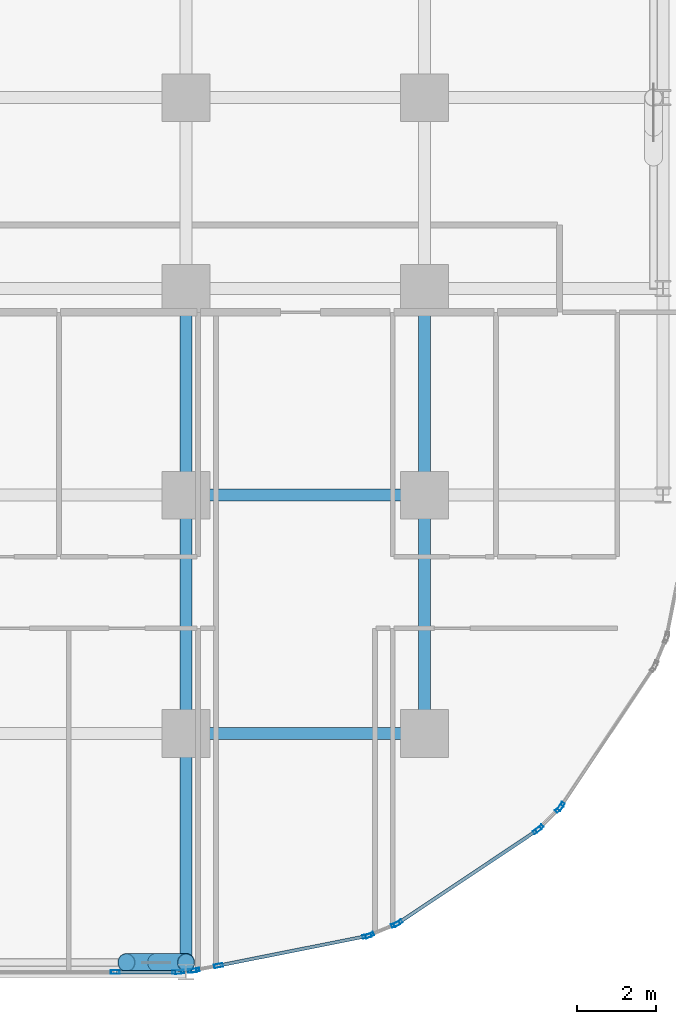
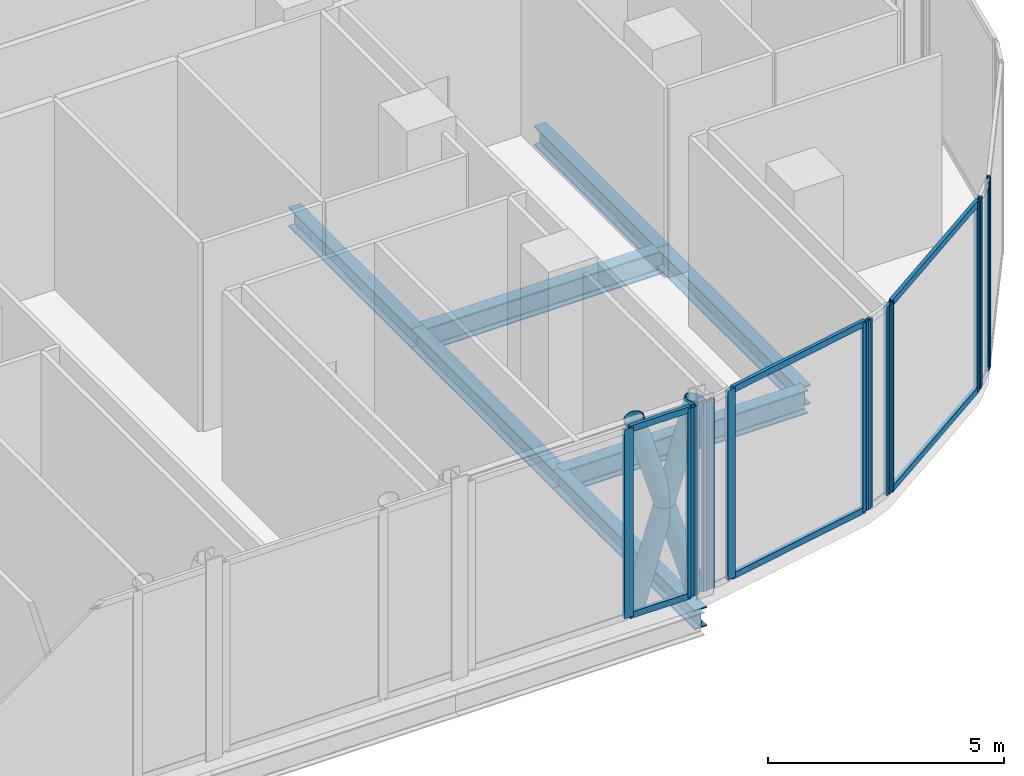
# One storey, part 10 of 36: 23 members, 7 beams, 8 elements without a shape of their own.
"""IFC4 building model written with IfcOpenShell, lengths in metres."""

from ifc_helpers import new_model, si_unit, direction, frame, origin, origin_2d, place, context, subcontext, project, spatial, hollow_rectangle, hollow_circle, i_section, extrude, material, layer, layer_set, material_profile, profile_set, type_object, element, aggregate, save


model = new_model("IFC4")

# Units and contexts
model_context = context("Model", 3, precision=1e-05, world=origin(), true_north=direction((0.0, 1.0)))
body_context = subcontext(model_context, "Body", "Model", "MODEL_VIEW")
ifc_project = project(units=[si_unit("LENGTHUNIT", "METRE"), si_unit("AREAUNIT", "SQUARE_METRE"), si_unit("VOLUMEUNIT", "CUBIC_METRE"), si_unit("PLANEANGLEUNIT", "RADIAN"), si_unit("MASSUNIT", "GRAM", prefix="KILO")], contexts=[model_context])

# Site, building, storey
site_placement = place(None, origin())
site = spatial("IfcSite", under=ifc_project, at=site_placement, CompositionType="ELEMENT")
building_placement = place(site_placement, origin())
building = spatial("IfcBuilding", under=site, at=building_placement, Name="Keshet Zoharim Tower", CompositionType="ELEMENT")
storey_placement = place(building_placement, frame((0.0, 0.0, 81.199951171875)))
storey = spatial("IfcBuildingStorey", under=building, at=storey_placement, Name="L19", CompositionType="ELEMENT", Elevation=81.199951171875)

# Beams
ifc_material_1 = material(Name="Steel S355", Category="steel")
ifc_material_profile_1 = material_profile(ifc_material_1, i_section(OverallWidth=0.300048828125, OverallDepth=0.5, WebThickness=0.014404296875, FlangeThickness=0.028076171875, FilletRadius=0.027099609375, at=origin_2d()), Name="HEB500")
ifc_profile_set_1 = profile_set([ifc_material_profile_1], Name="Steel S355")
beam_type_1 = type_object("IfcBeamType", Name="BM-WEB-HB500", PredefinedType="BEAM", material=ifc_profile_set_1)
for number, where, z_axis, x_axis, name in (
    (1, (57.0, 0.699951171875, -0.669921875), (0.0, 1.0, 0.0), (-1.0, 0.0, 0.0), "L19 Primary Girder Y-013"),
    (2, (57.0, 6.699951171875, -0.669921875), (0.0, 1.0, 0.0), (-1.0, 0.0, 0.0), "L19 Primary Girder Y-014"),
):
    element("IfcBeam", number, at=place(storey_placement, frame(where, z_axis=z_axis, x_axis=x_axis)), inside=storey, type_object=beam_type_1, Name=name, PredefinedType="BEAM", context=body_context, shape_type="SweptSolid", body=[
        extrude(i_section(OverallWidth=0.300048828125, OverallDepth=0.5, WebThickness=0.014404296875, FlangeThickness=0.028076171875, FilletRadius=0.027099609375, at=origin_2d()), origin(), (0.0, 0.0, 1.0), 6.0),
    ])
beam_1_placement = place(storey_placement, frame((57.0, 12.699951171875, -0.669921875), z_axis=(0.0, 1.0, 0.0), x_axis=(-1.0, 0.0, 0.0)))
element("IfcBeam", 3, at=beam_1_placement, inside=storey, type_object=beam_type_1, Name="L19 Primary Girder Y-015", PredefinedType="BEAM", context=body_context, shape_type="SweptSolid", body=[
    extrude(i_section(OverallWidth=0.300048828125, OverallDepth=0.5, WebThickness=0.014404296875, FlangeThickness=0.028076171875, FilletRadius=0.027099609375, at=origin_2d()), origin(), (0.0, 0.0, 1.0), 5.199951171875),
])
beam_2_placement = place(storey_placement, frame((63.0, 6.699951171875, -0.669921875), z_axis=(0.0, 1.0, 0.0), x_axis=(-1.0, 0.0, 0.0)))
element("IfcBeam", 4, at=beam_2_placement, inside=storey, type_object=beam_type_1, Name="L19 Primary Girder Y-018", PredefinedType="BEAM", context=body_context, shape_type="SweptSolid", body=[
    extrude(i_section(OverallWidth=0.300048828125, OverallDepth=0.5, WebThickness=0.014404296875, FlangeThickness=0.028076171875, FilletRadius=0.027099609375, at=origin_2d()), origin(), (0.0, 0.0, 1.0), 6.0),
])
beam_3_placement = place(storey_placement, frame((63.0, 12.699951171875, -0.669921875), z_axis=(0.0, 1.0, 0.0), x_axis=(-1.0, 0.0, 0.0)))
element("IfcBeam", 5, at=beam_3_placement, inside=storey, type_object=beam_type_1, Name="L19 Primary Girder Y-019", PredefinedType="BEAM", context=body_context, shape_type="SweptSolid", body=[
    extrude(i_section(OverallWidth=0.300048828125, OverallDepth=0.5, WebThickness=0.014404296875, FlangeThickness=0.028076171875, FilletRadius=0.027099609375, at=origin_2d()), origin(), (0.0, 0.0, 1.0), 5.199951171875),
])
ifc_material_profile_2 = material_profile(ifc_material_1, i_section(OverallWidth=0.300048828125, OverallDepth=0.60009765625, WebThickness=0.015380859375, FlangeThickness=0.030029296875, FilletRadius=0.027099609375, at=origin_2d()), Name="HEB600")
ifc_profile_set_2 = profile_set([ifc_material_profile_2], Name="Steel S355")
beam_type_2 = type_object("IfcBeamType", Name="BM-WEB-HB600", PredefinedType="BEAM", material=ifc_profile_set_2)
for number, where, z_axis, x_axis, name in (
    (6, (57.0, 6.699951171875, -0.719970703125), (1.0, 0.0, 0.0), (0.0, 1.0, 0.0), "L19 Primary Girder X-010"),
    (7, (57.0, 12.699951171875, -0.719970703125), (1.0, 0.0, 0.0), (0.0, 1.0, 0.0), "L19 Primary Girder X-013"),
):
    element("IfcBeam", number, at=place(storey_placement, frame(where, z_axis=z_axis, x_axis=x_axis)), inside=storey, type_object=beam_type_2, Name=name, PredefinedType="BEAM", context=body_context, shape_type="SweptSolid", body=[
        extrude(i_section(OverallWidth=0.300048828125, OverallDepth=0.60009765625, WebThickness=0.015380859375, FlangeThickness=0.030029296875, FilletRadius=0.027099609375, at=origin_2d()), origin(), (0.0, 0.0, 1.0), 6.0),
    ])

# Curtain wall, member
ifc_material_2 = material(Name="Aluminium 6063-T6", Category="aluminium")
ifc_layer = layer(ifc_material_2, 0.179931640625)
ifc_layer_set = layer_set([ifc_layer], Name="Aluminium 6063-T6")
curtain_wall_type = type_object("IfcCurtainWallType", Name="CW-SYS-01", PredefinedType="NOTDEFINED", material=ifc_layer_set)
curtain_wall_1_placement = place(storey_placement, origin())
curtain_wall_1 = element("IfcCurtainWall", 8, at=curtain_wall_1_placement, inside=storey, type_object=curtain_wall_type, Name="L19 Unitised Curtain Wall 20", PredefinedType="NOTDEFINED")
ifc_material_profile_3 = material_profile(ifc_material_2, hollow_rectangle(XDim=0.090087890625, YDim=0.219970703125, WallThickness=0.0048828125, at=origin_2d()), Name="MUL-90x220")
ifc_profile_set_3 = profile_set([ifc_material_profile_3], Name="Aluminium 6063-T6")
member_type_1 = type_object("IfcMemberType", Name="CWM-M22", PredefinedType="MULLION", material=ifc_profile_set_3)
member_1_placement = place(storey_placement, frame((66.432373046875, 4.8671875, 0.0), z_axis=(0.0, 0.0, 1.0), x_axis=(0.831474282335, -0.555563243758, 0.0)))
member_1 = element("IfcMember", 9, at=member_1_placement, type_object=member_type_1, Name="CW-01 mullion 2", PredefinedType="MULLION", context=body_context, shape_type="SweptSolid", body=[
    extrude(hollow_rectangle(XDim=0.090087890625, YDim=0.219970703125, WallThickness=0.0048828125, at=origin_2d()), origin(), (0.0, 0.0, 1.0), 4.885009765625),
])
aggregate(curtain_wall_1, [member_1])

# Curtain wall, members
curtain_wall_2_placement = place(storey_placement, origin())
curtain_wall_2 = element("IfcCurtainWall", 10, at=curtain_wall_2_placement, inside=storey, type_object=curtain_wall_type, Name="L19 Unitised Curtain Wall 21", PredefinedType="NOTDEFINED")
member_2_placement = place(storey_placement, frame((66.38818359375, 4.813232421875, 0.0), z_axis=(0.0, 0.0, 1.0), x_axis=(0.707106781187, -0.707106781187, 0.0)))
member_2 = element("IfcMember", 11, at=member_2_placement, type_object=member_type_1, Name="CW-01 mullion 1", PredefinedType="MULLION", context=body_context, shape_type="SweptSolid", body=[
    extrude(hollow_rectangle(XDim=0.090087890625, YDim=0.219970703125, WallThickness=0.0048828125, at=origin_2d()), origin(), (0.0, 0.0, 1.0), 4.885009765625),
])
member_3_placement = place(storey_placement, frame((65.88671875, 4.311767578125, 0.0), z_axis=(0.0, 0.0, 1.0), x_axis=(0.707106781187, -0.707106781187, 0.0)))
member_3 = element("IfcMember", 12, at=member_3_placement, type_object=member_type_1, Name="CW-01 mullion 2", PredefinedType="MULLION", context=body_context, shape_type="SweptSolid", body=[
    extrude(hollow_rectangle(XDim=0.090087890625, YDim=0.219970703125, WallThickness=0.0048828125, at=origin_2d()), origin(), (0.0, 0.0, 1.0), 4.885009765625),
])
aggregate(curtain_wall_2, [member_2, member_3])

curtain_wall_3_placement = place(storey_placement, origin())
curtain_wall_3 = element("IfcCurtainWall", 13, at=curtain_wall_3_placement, inside=storey, type_object=curtain_wall_type, Name="L19 Unitised Curtain Wall 22", PredefinedType="NOTDEFINED")
member_4_placement = place(storey_placement, frame((65.8330078125, 4.267578125, 0.0), z_axis=(0.0, 0.0, 1.0), x_axis=(0.555563243758, -0.831474282335, 0.0)))
member_4 = element("IfcMember", 14, at=member_4_placement, type_object=member_type_1, Name="CW-01 mullion 1", PredefinedType="MULLION", context=body_context, shape_type="SweptSolid", body=[
    extrude(hollow_rectangle(XDim=0.090087890625, YDim=0.219970703125, WallThickness=0.0048828125, at=origin_2d()), origin(), (0.0, 0.0, 1.0), 4.885009765625),
])
member_5_placement = place(storey_placement, frame((62.335205078125, 1.930419921875, 0.0), z_axis=(0.0, 0.0, 1.0), x_axis=(0.555563243758, -0.831474282335, 0.0)))
member_5 = element("IfcMember", 15, at=member_5_placement, type_object=member_type_1, Name="CW-01 mullion 2", PredefinedType="MULLION", context=body_context, shape_type="SweptSolid", body=[
    extrude(hollow_rectangle(XDim=0.090087890625, YDim=0.219970703125, WallThickness=0.0048828125, at=origin_2d()), origin(), (0.0, 0.0, 1.0), 4.885009765625),
])

curtain_wall_4_placement = place(storey_placement, origin())
curtain_wall_4 = element("IfcCurtainWall", 16, at=curtain_wall_4_placement, inside=storey, type_object=curtain_wall_type, Name="L19 Unitised Curtain Wall 23", PredefinedType="NOTDEFINED")
member_6_placement = place(storey_placement, frame((62.273681640625, 1.897705078125, 0.0), z_axis=(0.0, 0.0, 1.0), x_axis=(0.383068349739, -0.923720000557, 0.0)))
member_6 = element("IfcMember", 17, at=member_6_placement, type_object=member_type_1, Name="CW-01 mullion 1", PredefinedType="MULLION", context=body_context, shape_type="SweptSolid", body=[
    extrude(hollow_rectangle(XDim=0.090087890625, YDim=0.219970703125, WallThickness=0.0048828125, at=origin_2d()), origin(), (0.0, 0.0, 1.0), 4.885009765625),
])
member_7_placement = place(storey_placement, frame((61.617431640625, 1.62548828125, 0.0), z_axis=(0.0, 0.0, 1.0), x_axis=(0.383068349739, -0.923720000557, 0.0)))
member_7 = element("IfcMember", 18, at=member_7_placement, type_object=member_type_1, Name="CW-01 mullion 2", PredefinedType="MULLION", context=body_context, shape_type="SweptSolid", body=[
    extrude(hollow_rectangle(XDim=0.090087890625, YDim=0.219970703125, WallThickness=0.0048828125, at=origin_2d()), origin(), (0.0, 0.0, 1.0), 4.885009765625),
])
aggregate(curtain_wall_4, [member_6, member_7])

curtain_wall_5_placement = place(storey_placement, origin())
curtain_wall_5 = element("IfcCurtainWall", 19, at=curtain_wall_5_placement, inside=storey, type_object=curtain_wall_type, Name="L19 Unitised Curtain Wall 24", PredefinedType="NOTDEFINED")
member_8_placement = place(storey_placement, frame((61.55078125, 1.605224609375, 0.0), z_axis=(0.0, 0.0, 1.0), x_axis=(0.195173865617, -0.980768658849, 0.0)))
member_8 = element("IfcMember", 20, at=member_8_placement, type_object=member_type_1, Name="CW-01 mullion 1", PredefinedType="MULLION", context=body_context, shape_type="SweptSolid", body=[
    extrude(hollow_rectangle(XDim=0.090087890625, YDim=0.219970703125, WallThickness=0.0048828125, at=origin_2d()), origin(), (0.0, 0.0, 1.0), 4.885009765625),
])
member_9_placement = place(storey_placement, frame((57.81591796875, 0.86181640625, 0.0), z_axis=(0.0, 0.0, 1.0), x_axis=(0.195173865617, -0.980768658849, 0.0)))
member_9 = element("IfcMember", 21, at=member_9_placement, type_object=member_type_1, Name="CW-01 mullion 2", PredefinedType="MULLION", context=body_context, shape_type="SweptSolid", body=[
    extrude(hollow_rectangle(XDim=0.090087890625, YDim=0.219970703125, WallThickness=0.0048828125, at=origin_2d()), origin(), (0.0, 0.0, 1.0), 4.885009765625),
])

# Curtain wall, member
curtain_wall_6_placement = place(storey_placement, origin())
curtain_wall_6 = element("IfcCurtainWall", 22, at=curtain_wall_6_placement, inside=storey, type_object=curtain_wall_type, Name="L19 Unitised Curtain Wall 24 Part 2", PredefinedType="NOTDEFINED")
member_10_placement = place(storey_placement, frame((57.227294921875, 0.744873046875, 0.0), z_axis=(0.0, 0.0, 1.0), x_axis=(0.195154562031, -0.980772500083, 0.0)))
member_10 = element("IfcMember", 23, at=member_10_placement, type_object=member_type_1, Name="CW-01 mullion 2", PredefinedType="MULLION", context=body_context, shape_type="SweptSolid", body=[
    extrude(hollow_rectangle(XDim=0.090087890625, YDim=0.219970703125, WallThickness=0.0048828125, at=origin_2d()), origin(), (0.0, 0.0, 1.0), 4.885009765625),
])
aggregate(curtain_wall_6, [member_10])

# Curtain wall, members
curtain_wall_7_placement = place(storey_placement, origin())
curtain_wall_7 = element("IfcCurtainWall", 24, at=curtain_wall_7_placement, inside=storey, type_object=curtain_wall_type, Name="L19 Unitised Curtain Wall 25", PredefinedType="NOTDEFINED")
member_11_placement = place(storey_placement, frame((57.158203125, 0.734619140625, 0.0), z_axis=(0.0, 0.0, 1.0), x_axis=(0.096976648633, -0.995286657009, 0.0)))
member_11 = element("IfcMember", 25, at=member_11_placement, type_object=member_type_1, Name="CW-01 mullion 1", PredefinedType="MULLION", context=body_context, shape_type="SweptSolid", body=[
    extrude(hollow_rectangle(XDim=0.090087890625, YDim=0.219970703125, WallThickness=0.0048828125, at=origin_2d()), origin(), (0.0, 0.0, 1.0), 4.885009765625),
])
member_12_placement = place(storey_placement, frame((56.837890625, 0.703369140625, 0.0), z_axis=(0.0, 0.0, 1.0), x_axis=(0.096976648633, -0.995286657009, 0.0)))
member_12 = element("IfcMember", 26, at=member_12_placement, type_object=member_type_1, Name="CW-01 mullion 2", PredefinedType="MULLION", context=body_context, shape_type="SweptSolid", body=[
    extrude(hollow_rectangle(XDim=0.090087890625, YDim=0.219970703125, WallThickness=0.0048828125, at=origin_2d()), origin(), (0.0, 0.0, 1.0), 4.885009765625),
])
aggregate(curtain_wall_7, [member_11, member_12])

curtain_wall_8_placement = place(storey_placement, origin())
curtain_wall_8 = element("IfcCurtainWall", 27, at=curtain_wall_8_placement, inside=storey, type_object=curtain_wall_type, Name="L19 Unitised Curtain Wall 26", PredefinedType="NOTDEFINED")
member_13_placement = place(storey_placement, frame((56.76806640625, 0.699951171875, 0.0), z_axis=(0.0, 0.0, 1.0), x_axis=(0.0, -1.0, 0.0)))
member_13 = element("IfcMember", 28, at=member_13_placement, type_object=member_type_1, Name="CW-01 mullion 1", PredefinedType="MULLION", context=body_context, shape_type="SweptSolid", body=[
    extrude(hollow_rectangle(XDim=0.090087890625, YDim=0.219970703125, WallThickness=0.0048828125, at=origin_2d()), origin(), (0.0, 0.0, 1.0), 4.885009765625),
])
member_14_placement = place(storey_placement, frame((55.216552734375, 0.699951171875, 0.0), z_axis=(0.0, 0.0, 1.0), x_axis=(0.0, -1.0, 0.0)))
member_14 = element("IfcMember", 29, at=member_14_placement, type_object=member_type_1, Name="CW-01 mullion 2", PredefinedType="MULLION", context=body_context, shape_type="SweptSolid", body=[
    extrude(hollow_rectangle(XDim=0.090087890625, YDim=0.219970703125, WallThickness=0.0048828125, at=origin_2d()), origin(), (0.0, 0.0, 1.0), 4.885009765625),
])

# Member
ifc_material_profile_4 = material_profile(ifc_material_2, hollow_rectangle(XDim=0.0849609375, YDim=0.159912109375, WallThickness=0.00439453125, at=origin_2d()), Name="TRN-85x160")
ifc_profile_set_4 = profile_set([ifc_material_profile_4], Name="Aluminium 6063-T6")
member_type_2 = type_object("IfcMemberType", Name="CWT-T16", PredefinedType="USERDEFINED", material=ifc_profile_set_4)
member_15_placement = place(storey_placement, frame((65.8037109375, 4.248046875, 0.03515625), z_axis=(-0.831477809106, -0.55555796544, 0.0), x_axis=(0.55555796544, -0.831477809106, 0.0)))
member_15 = element("IfcMember", 30, at=member_15_placement, type_object=member_type_2, Name="CW-01 transom 1.1", ObjectType="TRANSOM", PredefinedType="USERDEFINED", context=body_context, shape_type="SweptSolid", body=[
    extrude(hollow_rectangle(XDim=0.0849609375, YDim=0.159912109375, WallThickness=0.00439453125, at=origin_2d()), origin(), (0.0, 0.0, 1.0), 4.136474609375),
])

member_16_placement = place(storey_placement, frame((65.8037109375, 4.248046875, 4.85009765625), z_axis=(-0.831477809106, -0.55555796544, 0.0), x_axis=(0.55555796544, -0.831477809106, 0.0)))
member_16 = element("IfcMember", 31, at=member_16_placement, type_object=member_type_2, Name="CW-01 transom 1.2", ObjectType="TRANSOM", PredefinedType="USERDEFINED", context=body_context, shape_type="SweptSolid", body=[
    extrude(hollow_rectangle(XDim=0.0849609375, YDim=0.159912109375, WallThickness=0.00439453125, at=origin_2d()), origin(), (0.0, 0.0, 1.0), 4.136474609375),
])

aggregate(curtain_wall_3, [member_4, member_5, member_15, member_16])

member_17_placement = place(storey_placement, frame((61.516357421875, 1.598388671875, 0.03515625), z_axis=(-0.980761117338, -0.195211758655, 0.0), x_axis=(0.195211758655, -0.980761117338, 0.0)))
member_17 = element("IfcMember", 32, at=member_17_placement, type_object=member_type_2, Name="CW-01 transom 1.1", ObjectType="TRANSOM", PredefinedType="USERDEFINED", context=body_context, shape_type="SweptSolid", body=[
    extrude(hollow_rectangle(XDim=0.0849609375, YDim=0.159912109375, WallThickness=0.00439453125, at=origin_2d()), origin(), (0.0, 0.0, 1.0), 3.73828125),
])

member_18_placement = place(storey_placement, frame((61.516357421875, 1.598388671875, 4.85009765625), z_axis=(-0.980761117338, -0.195211758655, 0.0), x_axis=(0.195211758655, -0.980761117338, 0.0)))
member_18 = element("IfcMember", 33, at=member_18_placement, type_object=member_type_2, Name="CW-01 transom 1.2", ObjectType="TRANSOM", PredefinedType="USERDEFINED", context=body_context, shape_type="SweptSolid", body=[
    extrude(hollow_rectangle(XDim=0.0849609375, YDim=0.159912109375, WallThickness=0.00439453125, at=origin_2d()), origin(), (0.0, 0.0, 1.0), 3.73828125),
])

aggregate(curtain_wall_5, [member_8, member_9, member_17, member_18])

member_19_placement = place(storey_placement, frame((56.73291015625, 0.699951171875, 0.03515625), z_axis=(-1.0, 0.0, 0.0), x_axis=(0.0, -1.0, 0.0)))
member_19 = element("IfcMember", 34, at=member_19_placement, type_object=member_type_2, Name="CW-01 transom 1.1", ObjectType="TRANSOM", PredefinedType="USERDEFINED", context=body_context, shape_type="SweptSolid", body=[
    extrude(hollow_rectangle(XDim=0.0849609375, YDim=0.159912109375, WallThickness=0.00439453125, at=origin_2d()), origin(), (0.0, 0.0, 1.0), 1.481201171875),
])

member_20_placement = place(storey_placement, frame((56.73291015625, 0.699951171875, 4.85009765625), z_axis=(-1.0, 0.0, 0.0), x_axis=(0.0, -1.0, 0.0)))
member_20 = element("IfcMember", 35, at=member_20_placement, type_object=member_type_2, Name="CW-01 transom 1.2", ObjectType="TRANSOM", PredefinedType="USERDEFINED", context=body_context, shape_type="SweptSolid", body=[
    extrude(hollow_rectangle(XDim=0.0849609375, YDim=0.159912109375, WallThickness=0.00439453125, at=origin_2d()), origin(), (0.0, 0.0, 1.0), 1.481201171875),
])

aggregate(curtain_wall_8, [member_13, member_14, member_19, member_20])

# Members
ifc_material_profile_5 = material_profile(ifc_material_1, hollow_circle(Radius=0.228515625, WallThickness=0.01611328125, at=origin_2d()), Name="CHS457x16")
ifc_profile_set_5 = profile_set([ifc_material_profile_5], Name="Steel S355")
member_type_3 = type_object("IfcMemberType", Name="MB-BELT-C457", PredefinedType="BRACE", material=ifc_profile_set_5)
member_21_placement = place(storey_placement, frame((57.0, 0.93994140625, 0.0), z_axis=(-0.293535214916, 0.0, 0.955948260945), x_axis=(0.0, -1.0, 0.0)))
element("IfcMember", 36, at=member_21_placement, inside=storey, type_object=member_type_3, Name="L19 Perimeter Belt Truss Continuous Diagonal A09", PredefinedType="BRACE", context=body_context, shape_type="SweptSolid", body=[
    extrude(hollow_circle(Radius=0.228515625, WallThickness=0.01611328125, at=origin_2d()), origin(), (0.0, 0.0, 1.0), 5.110107421875),
])
member_22_placement = place(storey_placement, frame((55.5, 0.93994140625, 0.0), z_axis=(0.293521809364, 0.0, 0.955952377176), x_axis=(0.0, 1.0, 0.0)))
element("IfcMember", 37, at=member_22_placement, inside=storey, type_object=member_type_3, Name="L19 Perimeter Belt Truss Split Diagonal B1-09", PredefinedType="BRACE", context=body_context, shape_type="SweptSolid", body=[
    extrude(hollow_circle(Radius=0.228515625, WallThickness=0.01611328125, at=origin_2d()), origin(), (0.0, 0.0, 1.0), 2.55517578125),
])
member_23_placement = place(storey_placement, frame((56.25, 0.93994140625, 2.442626953125), z_axis=(0.293548621635, 0.0, 0.955944144151), x_axis=(0.0, 1.0, 0.0)))
element("IfcMember", 38, at=member_23_placement, inside=storey, type_object=member_type_3, Name="L19 Perimeter Belt Truss Split Diagonal B2-09", PredefinedType="BRACE", context=body_context, shape_type="SweptSolid", body=[
    extrude(hollow_circle(Radius=0.228515625, WallThickness=0.01611328125, at=origin_2d()), origin(), (0.0, 0.0, 1.0), 2.554931640625),
])

save(model, "model.ifc")
